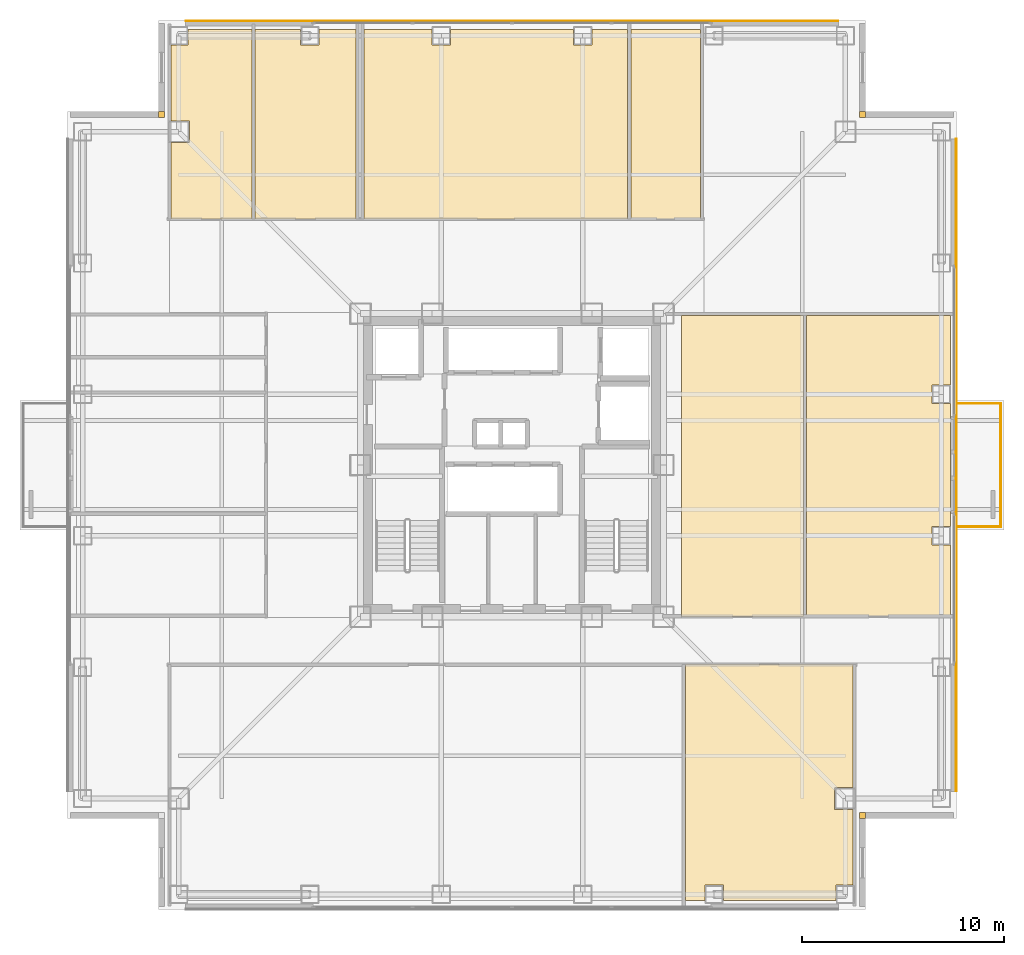
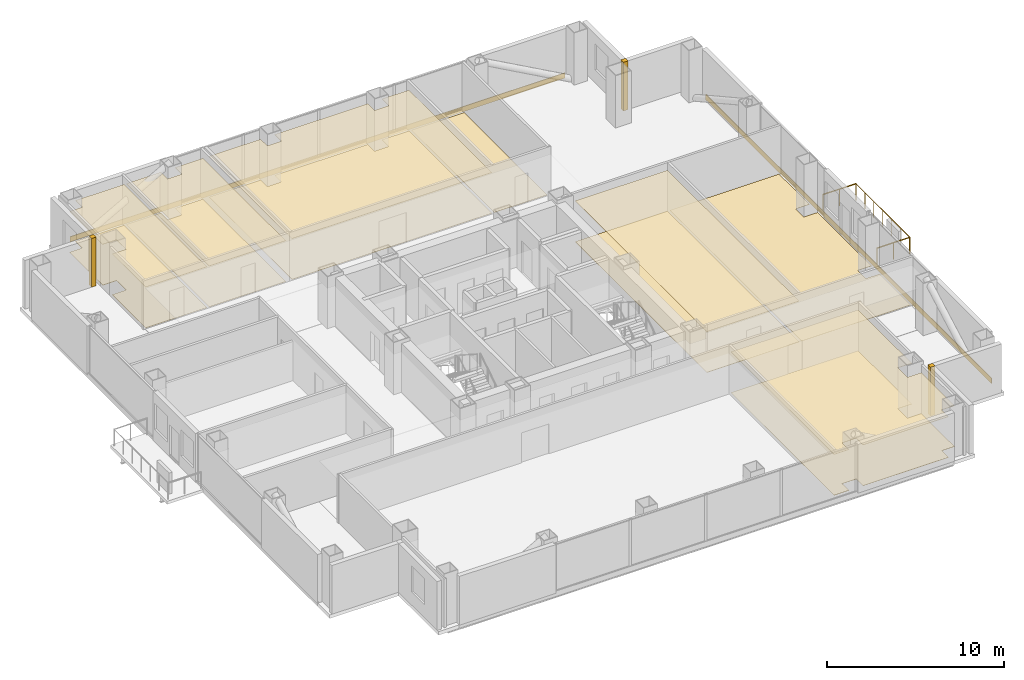
# One storey, part 16 of 16: 17 coverings, 3 railings.
"""IFC4 building model written with IfcOpenShell, lengths in metres."""

from ifc_helpers import new_model, si_unit, direction, frame, frame_2d, origin, origin_2d, place, context, subcontext, project, spatial, polyline, rectangle, circle, outline, extrude, material, layer, layer_set, type_object, element, save


model = new_model("IFC4")

# Units and contexts
model_context = context("Model", 3, precision=1e-05, world=origin(), true_north=direction((0.0, 1.0)))
body_context = subcontext(model_context, "Body", "Model", "MODEL_VIEW")
ifc_project = project(units=[si_unit("LENGTHUNIT", "METRE"), si_unit("AREAUNIT", "SQUARE_METRE"), si_unit("VOLUMEUNIT", "CUBIC_METRE"), si_unit("PLANEANGLEUNIT", "RADIAN"), si_unit("MASSUNIT", "GRAM", prefix="KILO")], contexts=[model_context])

# Site, building, storey
site_placement = place(None, origin())
site = spatial("IfcSite", under=ifc_project, at=site_placement, CompositionType="ELEMENT")
building_placement = place(site_placement, origin())
building = spatial("IfcBuilding", under=site, at=building_placement, Name="Trevonay Congress Spire", CompositionType="ELEMENT")
storey_placement = place(building_placement, frame((0.0, 0.0, 144.39990234375)))
storey = spatial("IfcBuildingStorey", under=building, at=storey_placement, Name="L37", CompositionType="ELEMENT", Elevation=144.39990234375)

# Coverings
ifc_material_1 = material(Name="Acoustic Mineral Fibre Board", Category="gypsum")
ifc_layer_1 = layer(ifc_material_1, 0.02490234375, Name="Acoustic Mineral Fibre Board")
ifc_layer_set_1 = layer_set([ifc_layer_1], Name="Acoustic Mineral Fibre Board")
covering_type_1 = type_object("IfcCoveringType", Name="COV-CEIL-ACOUSTIC", PredefinedType="CEILING", material=ifc_layer_set_1)
covering_1_placement = place(storey_placement, frame((0.0, 0.0, 2.81005859375)))
element("IfcCovering", 1, at=covering_1_placement, inside=storey, type_object=covering_type_1, Name="L37 Curatorial Preparation Office acoustic suspended ceiling", PredefinedType="CEILING", context=body_context, shape_type="SweptSolid", body=[
    extrude(outline(polyline([(8.580078125, -21.550048828125), (8.580078125, -9.8798828125), (16.8701171875, -9.8798828125), (16.8701171875, -15.965087890625), (15.965087890625, -15.965087890625), (15.965087890625, -17.034912109375), (16.8701171875, -17.034912109375), (16.8701171875, -20.7900390625), (16.0400390625, -20.7900390625), (16.0400390625, -21.550048828125), (10.4599609375, -21.550048828125), (10.4599609375, -20.7900390625), (9.5400390625, -20.7900390625), (9.5400390625, -21.550048828125), (8.580078125, -21.550048828125)])), origin(), (0.0, 0.0, 1.0), 0.025146484375),
])
covering_2_placement = place(storey_placement, frame((0.0, 0.0, 2.81005859375)))
element("IfcCovering", 2, at=covering_2_placement, inside=storey, type_object=covering_type_1, Name="L37 Podcast Production Office acoustic suspended ceiling", PredefinedType="CEILING", context=body_context, shape_type="SweptSolid", body=[
    extrude(outline(polyline([(-12.8798828125, 21.550048828125), (-12.8798828125, 12.179931640625), (-16.8701171875, 12.179931640625), (-16.8701171875, 15.965087890625), (-15.965087890625, 15.965087890625), (-15.965087890625, 17.034912109375), (-16.8701171875, 17.034912109375), (-16.8701171875, 20.7900390625), (-16.0400390625, 20.7900390625), (-16.0400390625, 21.550048828125), (-12.8798828125, 21.550048828125)])), origin(), (0.0, 0.0, 1.0), 0.025146484375),
])
covering_3_placement = place(storey_placement, frame((0.0, 0.0, 2.81005859375)))
element("IfcCovering", 3, at=covering_3_placement, inside=storey, type_object=covering_type_1, Name="L37 Audio Editing Office acoustic suspended ceiling", PredefinedType="CEILING", context=body_context, shape_type="SweptSolid", body=[
    extrude(outline(polyline([(-7.72998046875, 21.550048828125), (-7.72998046875, 12.179931640625), (-12.719970703125, 12.179931640625), (-12.719970703125, 21.550048828125), (-10.4599609375, 21.550048828125), (-10.4599609375, 20.7900390625), (-9.5400390625, 20.7900390625), (-9.5400390625, 21.550048828125), (-7.72998046875, 21.550048828125)])), origin(), (0.0, 0.0, 1.0), 0.025146484375),
])
covering_4_placement = place(storey_placement, frame((0.0, 0.0, 2.81005859375)))
element("IfcCovering", 4, at=covering_4_placement, inside=storey, type_object=covering_type_1, Name="L37 Photography Exhibition Salon acoustic suspended ceiling", PredefinedType="CEILING", context=body_context, shape_type="SweptSolid", body=[
    extrude(outline(polyline([(5.719970703125, 21.550048828125), (5.719970703125, 12.179931640625), (-7.320068359375, 12.179931640625), (-7.320068359375, 21.550048828125), (-3.9599609375, 21.550048828125), (-3.9599609375, 20.7900390625), (-3.0400390625, 20.7900390625), (-3.0400390625, 21.550048828125), (3.0400390625, 21.550048828125), (3.0400390625, 20.7900390625), (3.9599609375, 20.7900390625), (3.9599609375, 21.550048828125), (5.719970703125, 21.550048828125)])), origin(), (0.0, 0.0, 1.0), 0.025146484375),
])
covering_5_placement = place(storey_placement, frame((0.0, 0.0, 2.81005859375)))
element("IfcCovering", 5, at=covering_5_placement, inside=storey, type_object=covering_type_1, Name="L37 East Briefing Office acoustic suspended ceiling", PredefinedType="CEILING", context=body_context, shape_type="SweptSolid", body=[
    extrude(outline(polyline([(8.39990234375, -7.47998046875), (14.419921875, -7.47998046875), (14.419921875, 7.39990234375), (8.39990234375, 7.39990234375), (8.39990234375, -7.47998046875)])), origin(), (0.0, 0.0, 1.0), 0.025146484375),
])
ifc_material_2 = material(Name="Polished Granite Floor Tile", Category="masonry")
ifc_layer_2 = layer(ifc_material_2, 0.02001953125, Name="Polished Granite Floor Tile")
ifc_layer_set_2 = layer_set([ifc_layer_2], Name="Polished Granite Floor Tile")
covering_type_2 = type_object("IfcCoveringType", Name="COV-FLOOR-STONE", PredefinedType="FLOORING", material=ifc_layer_set_2)
covering_6_placement = place(storey_placement, origin())
element("IfcCovering", 6, at=covering_6_placement, inside=storey, type_object=covering_type_2, Name="L37 Female Restroom WC floor finish", PredefinedType="FLOORING", context=body_context, shape_type="SweptSolid", body=[
    extrude(outline(polyline([(5.8798828125, 12.179931640625), (9.320068359375, 12.179931640625), (9.320068359375, 21.550048828125), (5.8798828125, 21.550048828125), (5.8798828125, 12.179931640625)])), origin(), (0.0, 0.0, 1.0), 0.02001953125),
])
covering_7_placement = place(storey_placement, origin())
element("IfcCovering", 7, at=covering_7_placement, inside=storey, type_object=covering_type_2, Name="L37 Archive Copy Room floor finish", PredefinedType="FLOORING", context=body_context, shape_type="SweptSolid", body=[
    extrude(outline(polyline([(21.699951171875, -7.47998046875), (14.580078125, -7.47998046875), (14.580078125, 7.39990234375), (21.699951171875, 7.39990234375), (21.699951171875, 3.9599609375), (20.7900390625, 3.9599609375), (20.7900390625, 3.0400390625), (21.699951171875, 3.0400390625), (21.699951171875, -3.0400390625), (20.7900390625, -3.0400390625), (20.7900390625, -3.9599609375), (21.699951171875, -3.9599609375), (21.699951171875, -7.47998046875)])), origin(), (0.0, 0.0, 1.0), 0.02001953125),
])
ifc_material_3 = material(Name="Engineered Oak Flooring", Category="wood")
ifc_layer_3 = layer(ifc_material_3, 0.01806640625, Name="Engineered Oak Flooring")
ifc_layer_set_3 = layer_set([ifc_layer_3], Name="Engineered Oak Flooring")
covering_type_3 = type_object("IfcCoveringType", Name="COV-FLOOR-TIMBER", PredefinedType="FLOORING", material=ifc_layer_set_3)
covering_8_placement = place(storey_placement, origin())
element("IfcCovering", 8, at=covering_8_placement, inside=storey, type_object=covering_type_3, Name="L37 Curatorial Preparation Office floor finish", PredefinedType="FLOORING", context=body_context, shape_type="SweptSolid", body=[
    extrude(outline(polyline([(8.580078125, -21.550048828125), (8.580078125, -9.8798828125), (16.8701171875, -9.8798828125), (16.8701171875, -15.965087890625), (15.965087890625, -15.965087890625), (15.965087890625, -17.034912109375), (16.8701171875, -17.034912109375), (16.8701171875, -20.7900390625), (16.0400390625, -20.7900390625), (16.0400390625, -21.550048828125), (10.4599609375, -21.550048828125), (10.4599609375, -20.7900390625), (9.5400390625, -20.7900390625), (9.5400390625, -21.550048828125), (8.580078125, -21.550048828125)])), origin(), (0.0, 0.0, 1.0), 0.01806640625),
])
covering_9_placement = place(storey_placement, origin())
element("IfcCovering", 9, at=covering_9_placement, inside=storey, type_object=covering_type_3, Name="L37 Podcast Production Office floor finish", PredefinedType="FLOORING", context=body_context, shape_type="SweptSolid", body=[
    extrude(outline(polyline([(-12.8798828125, 21.550048828125), (-12.8798828125, 12.179931640625), (-16.8701171875, 12.179931640625), (-16.8701171875, 15.965087890625), (-15.965087890625, 15.965087890625), (-15.965087890625, 17.034912109375), (-16.8701171875, 17.034912109375), (-16.8701171875, 20.7900390625), (-16.0400390625, 20.7900390625), (-16.0400390625, 21.550048828125), (-12.8798828125, 21.550048828125)])), origin(), (0.0, 0.0, 1.0), 0.01806640625),
])
covering_10_placement = place(storey_placement, origin())
element("IfcCovering", 10, at=covering_10_placement, inside=storey, type_object=covering_type_3, Name="L37 Audio Editing Office floor finish", PredefinedType="FLOORING", context=body_context, shape_type="SweptSolid", body=[
    extrude(outline(polyline([(-7.72998046875, 21.550048828125), (-7.72998046875, 12.179931640625), (-12.719970703125, 12.179931640625), (-12.719970703125, 21.550048828125), (-10.4599609375, 21.550048828125), (-10.4599609375, 20.7900390625), (-9.5400390625, 20.7900390625), (-9.5400390625, 21.550048828125), (-7.72998046875, 21.550048828125)])), origin(), (0.0, 0.0, 1.0), 0.01806640625),
])
covering_11_placement = place(storey_placement, origin())
element("IfcCovering", 11, at=covering_11_placement, inside=storey, type_object=covering_type_3, Name="L37 Photography Exhibition Salon floor finish", PredefinedType="FLOORING", context=body_context, shape_type="SweptSolid", body=[
    extrude(outline(polyline([(5.719970703125, 21.550048828125), (5.719970703125, 12.179931640625), (-7.320068359375, 12.179931640625), (-7.320068359375, 21.550048828125), (-3.9599609375, 21.550048828125), (-3.9599609375, 20.7900390625), (-3.0400390625, 20.7900390625), (-3.0400390625, 21.550048828125), (3.0400390625, 21.550048828125), (3.0400390625, 20.7900390625), (3.9599609375, 20.7900390625), (3.9599609375, 21.550048828125), (5.719970703125, 21.550048828125)])), origin(), (0.0, 0.0, 1.0), 0.01806640625),
])
covering_12_placement = place(storey_placement, origin())
element("IfcCovering", 12, at=covering_12_placement, inside=storey, type_object=covering_type_3, Name="L37 East Briefing Office floor finish", PredefinedType="FLOORING", context=body_context, shape_type="SweptSolid", body=[
    extrude(outline(polyline([(8.39990234375, -7.47998046875), (14.419921875, -7.47998046875), (14.419921875, 7.39990234375), (8.39990234375, 7.39990234375), (8.39990234375, -7.47998046875)])), origin(), (0.0, 0.0, 1.0), 0.01806640625),
])
ifc_material_4 = material(Name="Pale Anodised Aluminium EN AW-6063-T6", Category="aluminium")
ifc_layer_4 = layer(ifc_material_4, 0.0400390625, Name="Pale Anodised Aluminium EN AW-6063-T6")
ifc_layer_set_4 = layer_set([ifc_layer_4], Name="Pale Anodised Aluminium EN AW-6063-T6")
covering_type_4 = type_object("IfcCoveringType", Name="COV-SPANDREL-PALE-METAL", PredefinedType="CLADDING", material=ifc_layer_set_4)
for number, where, z_axis, x_axis, name in (
    (13, (-16.14990234375, 21.97998046875, -0.239990234375), (0.0, 0.0, 1.0), (1.0, 0.0, 0.0), "L37 N pale-metal slab-edge spandrel cladding"),
    (14, (21.97998046875, -16.14990234375, -0.239990234375), (0.0, 0.0, 1.0), (0.0, 1.0, 0.0), "L37 E pale-metal slab-edge spandrel cladding"),
):
    element("IfcCovering", number, at=place(storey_placement, frame(where, z_axis=z_axis, x_axis=x_axis)), inside=storey, type_object=covering_type_4, Name=name, PredefinedType="CLADDING", context=body_context, shape_type="SweptSolid", body=[
        extrude(rectangle(XDim=32.2998046875, YDim=0.0400390625, at=frame_2d((16.14990234375, 0.0))), origin(), (0.0, 0.0, 1.0), 0.360107421875),
    ])
covering_13_placement = place(storey_placement, origin())
element("IfcCovering", 15, at=covering_13_placement, inside=storey, type_object=covering_type_4, Name="L37 SE re-entrant notch corner closure trim", PredefinedType="CLADDING", context=body_context, shape_type="SweptSolid", body=[
    extrude(outline(polyline([(17.199951171875, -17.5), (17.5, -17.5), (17.5, -17.199951171875), (17.199951171875, -17.199951171875), (17.199951171875, -17.5)])), origin(), (0.0, 0.0, 1.0), 3.360107421875),
])
covering_14_placement = place(storey_placement, origin())
element("IfcCovering", 16, at=covering_14_placement, inside=storey, type_object=covering_type_4, Name="L37 NE re-entrant notch corner closure trim", PredefinedType="CLADDING", context=body_context, shape_type="SweptSolid", body=[
    extrude(outline(polyline([(17.199951171875, 17.199951171875), (17.5, 17.199951171875), (17.5, 17.5), (17.199951171875, 17.5), (17.199951171875, 17.199951171875)])), origin(), (0.0, 0.0, 1.0), 3.360107421875),
])
covering_15_placement = place(storey_placement, origin())
element("IfcCovering", 17, at=covering_15_placement, inside=storey, type_object=covering_type_4, Name="L37 NW re-entrant notch corner closure trim", PredefinedType="CLADDING", context=body_context, shape_type="SweptSolid", body=[
    extrude(outline(polyline([(-17.5, 17.199951171875), (-17.199951171875, 17.199951171875), (-17.199951171875, 17.5), (-17.5, 17.5), (-17.5, 17.199951171875)])), origin(), (0.0, 0.0, 1.0), 3.360107421875),
])

# Railings
railing_type = type_object("IfcRailingType", Name="RAL-EXT-GUARD-115", PredefinedType="GUARDRAIL", material=ifc_material_4)
railing_1_placement = place(storey_placement, frame((22.050048828125, -3.050048828125, 0.0)))
element("IfcRailing", 18, at=railing_1_placement, inside=storey, type_object=railing_type, Name="L37 perimeter safety guard GRD-L37-TBAL-E-1", PredefinedType="GUARDRAIL", context=body_context, shape_type="SweptSolid", body=[
    extrude(circle(Radius=0.02392578125, at=origin_2d()), frame((0.0, 0.0, 1.1259765625), z_axis=(1.0, 0.0, 0.0), x_axis=(0.0, 1.0, 0.0)), (0.0, 0.0, 1.0), 2.14990234375),
    extrude(circle(Radius=0.02099609375, at=origin_2d()), origin(), (0.0, 0.0, 1.0), 1.101806640625),
    extrude(circle(Radius=0.02099609375, at=origin_2d()), frame((1.074951171875, 0.0, 0.0)), (0.0, 0.0, 1.0), 1.101806640625),
    extrude(circle(Radius=0.02099609375, at=origin_2d()), frame((2.14990234375, 0.0, 0.0)), (0.0, 0.0, 1.0), 1.101806640625),
])
railing_2_placement = place(storey_placement, frame((24.199951171875, -3.050048828125, 0.0)))
element("IfcRailing", 19, at=railing_2_placement, inside=storey, type_object=railing_type, Name="L37 perimeter safety guard GRD-L37-TBAL-E-2", PredefinedType="GUARDRAIL", context=body_context, shape_type="SweptSolid", body=[
    extrude(circle(Radius=0.02392578125, at=origin_2d()), frame((0.0, 0.0, 1.1259765625), z_axis=(0.0, 1.0, 0.0), x_axis=(-1.0, 0.0, 0.0)), (0.0, 0.0, 1.0), 6.10009765625),
    extrude(circle(Radius=0.02099609375, at=origin_2d()), origin(), (0.0, 0.0, 1.0), 1.101806640625),
    extrude(circle(Radius=0.02099609375, at=origin_2d()), frame((0.0, 1.0166015625, 0.0)), (0.0, 0.0, 1.0), 1.101806640625),
    extrude(circle(Radius=0.02099609375, at=origin_2d()), frame((0.0, 2.033447265625, 0.0)), (0.0, 0.0, 1.0), 1.101806640625),
    extrude(circle(Radius=0.02099609375, at=origin_2d()), frame((0.0, 3.050048828125, 0.0)), (0.0, 0.0, 1.0), 1.101806640625),
    extrude(circle(Radius=0.02099609375, at=origin_2d()), frame((0.0, 4.066650390625, 0.0)), (0.0, 0.0, 1.0), 1.101806640625),
    extrude(circle(Radius=0.02099609375, at=origin_2d()), frame((0.0, 5.08349609375, 0.0)), (0.0, 0.0, 1.0), 1.101806640625),
    extrude(circle(Radius=0.02099609375, at=origin_2d()), frame((0.0, 6.10009765625, 0.0)), (0.0, 0.0, 1.0), 1.101806640625),
])
railing_3_placement = place(storey_placement, frame((24.199951171875, 3.050048828125, 0.0)))
element("IfcRailing", 20, at=railing_3_placement, inside=storey, type_object=railing_type, Name="L37 perimeter safety guard GRD-L37-TBAL-E-3", PredefinedType="GUARDRAIL", context=body_context, shape_type="SweptSolid", body=[
    extrude(circle(Radius=0.02392578125, at=origin_2d()), frame((0.0, 0.0, 1.1259765625), z_axis=(-1.0, 0.0, 0.0), x_axis=(0.0, -1.0, 0.0)), (0.0, 0.0, 1.0), 2.14990234375),
    extrude(circle(Radius=0.02099609375, at=origin_2d()), origin(), (0.0, 0.0, 1.0), 1.101806640625),
    extrude(circle(Radius=0.02099609375, at=origin_2d()), frame((-1.074951171875, 0.0, 0.0)), (0.0, 0.0, 1.0), 1.101806640625),
    extrude(circle(Radius=0.02099609375, at=origin_2d()), frame((-2.14990234375, 0.0, 0.0)), (0.0, 0.0, 1.0), 1.101806640625),
])

save(model, "model.ifc")
